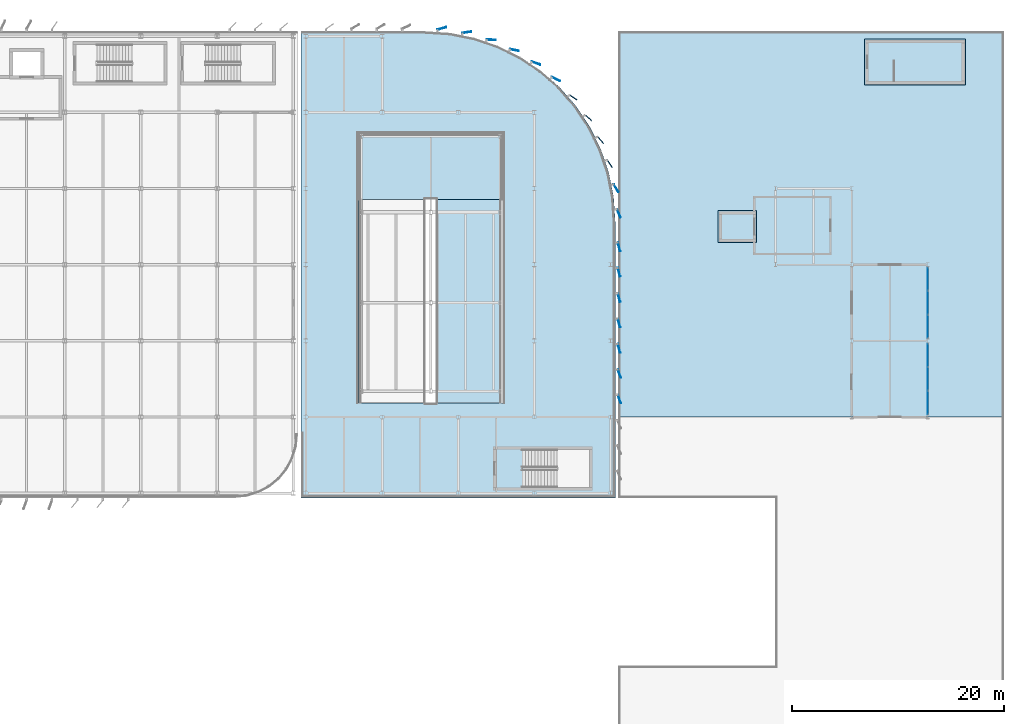
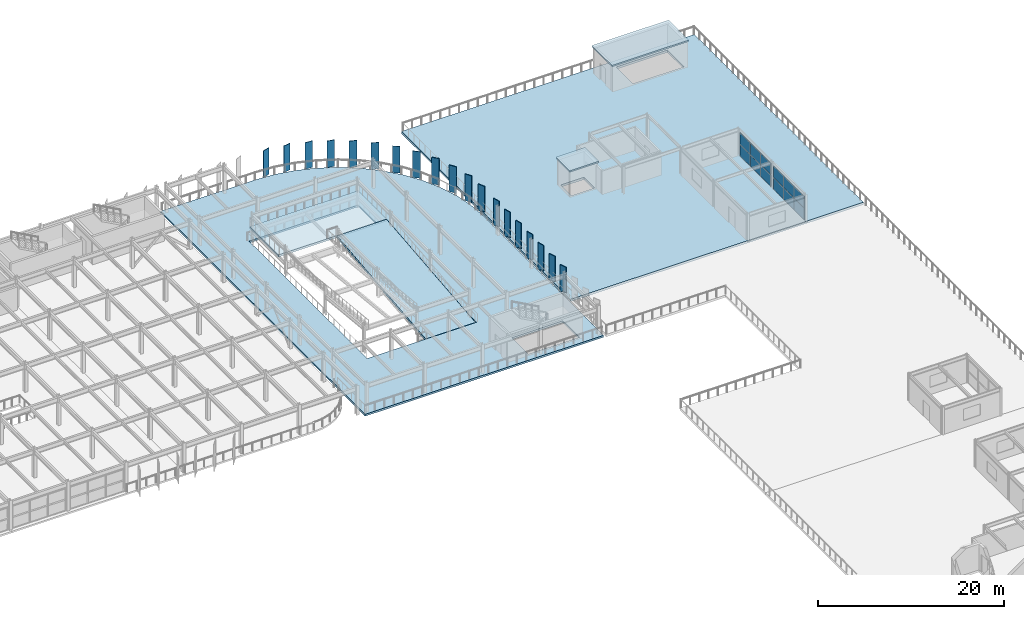
# One storey, part 31 of 52: 31 plates, 6 slabs, 2 elements without a shape of their own.
"""IFC4 building model written with IfcOpenShell, lengths in metres."""

from ifc_helpers import new_model, si_unit, direction, frame, origin, origin_2d, place, context, subcontext, project, spatial, polyline, rectangle, outline, extrude, material, layer, layer_set, type_object, element, aggregate, save


model = new_model("IFC4")

# Units and contexts
model_context = context("Model", 3, precision=1e-05, world=origin(), true_north=direction((0.0, 1.0)))
body_context = subcontext(model_context, "Body", "Model", "MODEL_VIEW")
ifc_project = project(units=[si_unit("LENGTHUNIT", "METRE"), si_unit("AREAUNIT", "SQUARE_METRE"), si_unit("VOLUMEUNIT", "CUBIC_METRE"), si_unit("PLANEANGLEUNIT", "RADIAN"), si_unit("MASSUNIT", "GRAM", prefix="KILO")], contexts=[model_context])

# Site, building, storey
site_placement = place(None, origin())
site = spatial("IfcSite", under=ifc_project, at=site_placement, CompositionType="ELEMENT")
building_placement = place(site_placement, origin())
building = spatial("IfcBuilding", under=site, at=building_placement, Name="Vaelcorin Mobility Hub", CompositionType="ELEMENT")
storey_placement = place(building_placement, frame((0.0, 0.0, 13.199951171875)))
storey = spatial("IfcBuildingStorey", under=building, at=storey_placement, Name="L03", CompositionType="ELEMENT", Elevation=13.199951171875)

# Curtain wall, plates
ifc_material_1 = material(Name="Anodised aluminium 6063-T6", Category="aluminium")
curtain_wall_type = type_object("IfcCurtainWallType", Name="CW-MOB-A", PredefinedType="NOTDEFINED", material=ifc_material_1)
curtain_wall_1_placement = place(storey_placement, origin())
curtain_wall_1 = element("IfcCurtainWall", 1, at=curtain_wall_1_placement, inside=storey, type_object=curtain_wall_type, Name="L03 Curtain Wall CW-L03-GPAVN-E-1", PredefinedType="NOTDEFINED")
ifc_material_2 = material(Name="Low-E solar-control insulated glazing", Category="glass")
ifc_layer_1 = layer(ifc_material_2, 0.028076171875)
ifc_layer_set_1 = layer_set([ifc_layer_1], Name="Low-E solar-control insulated glazing")
plate_type_1 = type_object("IfcPlateType", Name="CW-PAN-GLZ28", PredefinedType="CURTAIN_PANEL", material=ifc_layer_set_1)
plate_1_placement = place(storey_placement, frame((182.39990234375, 89.83837890625, 0.06005859375), z_axis=(0.0, 0.0, 1.0), x_axis=(0.0, -1.0, 0.0)))
plate_1 = element("IfcPlate", 2, at=plate_1_placement, type_object=plate_type_1, Name="CW7 panel 1.1", PredefinedType="CURTAIN_PANEL", context=body_context, shape_type="SweptSolid", body=[
    extrude(rectangle(XDim=2.163330078125, YDim=0.028076171875, at=origin_2d()), origin(), (0.0, 0.0, 1.0), 1.5048828125),
])
plate_2_placement = place(storey_placement, frame((182.39990234375, 89.83837890625, 1.625), z_axis=(0.0, 0.0, 1.0), x_axis=(0.0, -1.0, 0.0)))
plate_2 = element("IfcPlate", 3, at=plate_2_placement, type_object=plate_type_1, Name="CW7 panel 1.2", PredefinedType="CURTAIN_PANEL", context=body_context, shape_type="SweptSolid", body=[
    extrude(rectangle(XDim=2.163330078125, YDim=0.028076171875, at=origin_2d()), origin(), (0.0, 0.0, 1.0), 1.5048828125),
])
plate_3_placement = place(storey_placement, frame((182.39990234375, 87.60009765625, 0.06005859375), z_axis=(0.0, 0.0, 1.0), x_axis=(0.0, -1.0, 0.0)))
plate_3 = element("IfcPlate", 4, at=plate_3_placement, type_object=plate_type_1, Name="CW7 panel 2.1", PredefinedType="CURTAIN_PANEL", context=body_context, shape_type="SweptSolid", body=[
    extrude(rectangle(XDim=2.193359375, YDim=0.028076171875, at=origin_2d()), origin(), (0.0, 0.0, 1.0), 1.5048828125),
])
plate_4_placement = place(storey_placement, frame((182.39990234375, 87.60009765625, 1.625), z_axis=(0.0, 0.0, 1.0), x_axis=(0.0, -1.0, 0.0)))
plate_4 = element("IfcPlate", 5, at=plate_4_placement, type_object=plate_type_1, Name="CW7 panel 2.2", PredefinedType="CURTAIN_PANEL", context=body_context, shape_type="SweptSolid", body=[
    extrude(rectangle(XDim=2.193359375, YDim=0.028076171875, at=origin_2d()), origin(), (0.0, 0.0, 1.0), 1.5048828125),
])
plate_5_placement = place(storey_placement, frame((182.39990234375, 85.361572265625, 0.06005859375), z_axis=(0.0, 0.0, 1.0), x_axis=(0.0, -1.0, 0.0)))
plate_5 = element("IfcPlate", 6, at=plate_5_placement, type_object=plate_type_1, Name="CW7 panel 3.1", PredefinedType="CURTAIN_PANEL", context=body_context, shape_type="SweptSolid", body=[
    extrude(rectangle(XDim=2.163330078125, YDim=0.028076171875, at=origin_2d()), origin(), (0.0, 0.0, 1.0), 1.5048828125),
])
plate_6_placement = place(storey_placement, frame((182.39990234375, 85.361572265625, 1.625), z_axis=(0.0, 0.0, 1.0), x_axis=(0.0, -1.0, 0.0)))
plate_6 = element("IfcPlate", 7, at=plate_6_placement, type_object=plate_type_1, Name="CW7 panel 3.2", PredefinedType="CURTAIN_PANEL", context=body_context, shape_type="SweptSolid", body=[
    extrude(rectangle(XDim=2.163330078125, YDim=0.028076171875, at=origin_2d()), origin(), (0.0, 0.0, 1.0), 1.5048828125),
])
aggregate(curtain_wall_1, [plate_1, plate_2, plate_3, plate_4, plate_5, plate_6])

curtain_wall_2_placement = place(storey_placement, origin())
curtain_wall_2 = element("IfcCurtainWall", 8, at=curtain_wall_2_placement, inside=storey, type_object=curtain_wall_type, Name="L03 Curtain Wall CW-L03-GPAVN-E-2", PredefinedType="NOTDEFINED")
plate_7_placement = place(storey_placement, frame((182.39990234375, 97.038330078125, 0.06005859375), z_axis=(0.0, 0.0, 1.0), x_axis=(0.0, -1.0, 0.0)))
plate_7 = element("IfcPlate", 9, at=plate_7_placement, type_object=plate_type_1, Name="CW7 panel 1.1", PredefinedType="CURTAIN_PANEL", context=body_context, shape_type="SweptSolid", body=[
    extrude(rectangle(XDim=2.163330078125, YDim=0.028076171875, at=origin_2d()), origin(), (0.0, 0.0, 1.0), 1.5048828125),
])
plate_8_placement = place(storey_placement, frame((182.39990234375, 97.038330078125, 1.625), z_axis=(0.0, 0.0, 1.0), x_axis=(0.0, -1.0, 0.0)))
plate_8 = element("IfcPlate", 10, at=plate_8_placement, type_object=plate_type_1, Name="CW7 panel 1.2", PredefinedType="CURTAIN_PANEL", context=body_context, shape_type="SweptSolid", body=[
    extrude(rectangle(XDim=2.163330078125, YDim=0.028076171875, at=origin_2d()), origin(), (0.0, 0.0, 1.0), 1.5048828125),
])
plate_9_placement = place(storey_placement, frame((182.39990234375, 94.800048828125, 0.06005859375), z_axis=(0.0, 0.0, 1.0), x_axis=(0.0, -1.0, 0.0)))
plate_9 = element("IfcPlate", 11, at=plate_9_placement, type_object=plate_type_1, Name="CW7 panel 2.1", PredefinedType="CURTAIN_PANEL", context=body_context, shape_type="SweptSolid", body=[
    extrude(rectangle(XDim=2.193359375, YDim=0.028076171875, at=origin_2d()), origin(), (0.0, 0.0, 1.0), 1.5048828125),
])
plate_10_placement = place(storey_placement, frame((182.39990234375, 94.800048828125, 1.625), z_axis=(0.0, 0.0, 1.0), x_axis=(0.0, -1.0, 0.0)))
plate_10 = element("IfcPlate", 12, at=plate_10_placement, type_object=plate_type_1, Name="CW7 panel 2.2", PredefinedType="CURTAIN_PANEL", context=body_context, shape_type="SweptSolid", body=[
    extrude(rectangle(XDim=2.193359375, YDim=0.028076171875, at=origin_2d()), origin(), (0.0, 0.0, 1.0), 1.5048828125),
])
plate_11_placement = place(storey_placement, frame((182.39990234375, 92.561767578125, 0.06005859375), z_axis=(0.0, 0.0, 1.0), x_axis=(0.0, -1.0, 0.0)))
plate_11 = element("IfcPlate", 13, at=plate_11_placement, type_object=plate_type_1, Name="CW7 panel 3.1", PredefinedType="CURTAIN_PANEL", context=body_context, shape_type="SweptSolid", body=[
    extrude(rectangle(XDim=2.163330078125, YDim=0.028076171875, at=origin_2d()), origin(), (0.0, 0.0, 1.0), 1.5048828125),
])
plate_12_placement = place(storey_placement, frame((182.39990234375, 92.561767578125, 1.625), z_axis=(0.0, 0.0, 1.0), x_axis=(0.0, -1.0, 0.0)))
plate_12 = element("IfcPlate", 14, at=plate_12_placement, type_object=plate_type_1, Name="CW7 panel 3.2", PredefinedType="CURTAIN_PANEL", context=body_context, shape_type="SweptSolid", body=[
    extrude(rectangle(XDim=2.163330078125, YDim=0.028076171875, at=origin_2d()), origin(), (0.0, 0.0, 1.0), 1.5048828125),
])
aggregate(curtain_wall_2, [plate_7, plate_8, plate_9, plate_10, plate_11, plate_12])

# Plates
ifc_material_3 = material(Name="Perforated terracotta-bronze aluminium aerofoil", Category="masonry")
ifc_layer_2 = layer(ifc_material_3, 0.070068359375)
ifc_layer_set_2 = layer_set([ifc_layer_2], Name="Perforated terracotta-bronze aluminium aerofoil")
plate_type_2 = type_object("IfcPlateType", Name="PL-FIN-AF3", PredefinedType="SHEET", material=ifc_layer_set_2)
for number, where, z_axis, x_axis, name in (
    (15, (153.18408203125, 103.2509765625, -0.159912109375), (0.0, 0.0, 1.0), (0.402762664996, -0.915304449724, 0.0), "Rotating Terracotta-Bronze Aerofoil Fin FIN-V2E-L03-ARC-01"),
    (16, (152.922119140625, 105.636962890625, -0.159912109375), (0.0, 0.0, 1.0), (0.51859419446, -0.855020503539, 0.0), "Rotating Terracotta-Bronze Aerofoil Fin FIN-V2E-L03-ARC-02"),
    (17, (152.322021484375, 107.947021484375, -0.159912109375), (0.0, 0.0, 1.0), (0.555686322663, -0.831392031959, 0.0), "Rotating Terracotta-Bronze Aerofoil Fin FIN-V2E-L03-ARC-03"),
    (18, (151.455078125, 110.180908203125, -0.159912109375), (0.0, 0.0, 1.0), (0.659477025858, -0.751724718475, 0.0), "Rotating Terracotta-Bronze Aerofoil Fin FIN-V2E-L03-ARC-04"),
    (19, (150.302978515625, 112.281982421875, -0.159912109375), (0.0, 0.0, 1.0), (0.751770756824, -0.659424543965, 0.0), "Rotating Terracotta-Bronze Aerofoil Fin FIN-V2E-L03-ARC-05"),
    (20, (148.887939453125, 114.215087890625, -0.159912109375), (0.0, 0.0, 1.0), (0.831421126488, -0.555642790316, 0.0), "Rotating Terracotta-Bronze Aerofoil Fin FIN-V2E-L03-ARC-06"),
    (21, (147.23193359375, 115.947021484375, -0.159912109375), (0.0, 0.0, 1.0), (0.896911335087, -0.442210421623, 0.0), "Rotating Terracotta-Bronze Aerofoil Fin FIN-V2E-L03-ARC-07"),
    (22, (145.364990234375, 117.447021484375, -0.159912109375), (0.0, 0.0, 1.0), (0.946963785365, -0.32134030125, 0.0), "Rotating Terracotta-Bronze Aerofoil Fin FIN-V2E-L03-ARC-08"),
    (23, (143.31689453125, 118.69091796875, -0.159912109375), (0.0, 0.0, 1.0), (0.980751215781, -0.195261498368, 0.0), "Rotating Terracotta-Bronze Aerofoil Fin FIN-V2E-L03-ARC-09"),
    (24, (141.125, 119.657958984375, -0.159912109375), (0.0, 0.0, 1.0), (0.997849781512, -0.065542455982, 0.0), "Rotating Terracotta-Bronze Aerofoil Fin FIN-V2E-L03-ARC-10"),
    (25, (138.821044921875, 120.366943359375, -0.159912109375), (0.0, 0.0, 1.0), (0.988329628143, 0.152330384803, 0.0), "Rotating Terracotta-Bronze Aerofoil Fin FIN-V2E-L03-ARC-11"),
    (26, (136.447998046875, 120.73095703125, -0.159912109375), (0.0, 0.0, 1.0), (0.960054738177, 0.279812257957, 0.0), "Rotating Terracotta-Bronze Aerofoil Fin FIN-V2E-L03-ARC-12"),
    (27, (153.199951171875, 100.089111328125, -0.159912109375), (0.0, 0.0, 1.0), (0.258819045103, -0.965925826289, 0.0), "Rotating Terracotta-Bronze Aerofoil Fin FIN-V2E-L03-E-AF-01"),
    (28, (153.199951171875, 97.68896484375, -0.159912109375), (0.0, 0.0, 1.0), (0.258819045103, -0.965925826289, 0.0), "Rotating Terracotta-Bronze Aerofoil Fin FIN-V2E-L03-E-AF-02"),
    (29, (153.199951171875, 95.2890625, -0.159912109375), (0.0, 0.0, 1.0), (0.258819045103, -0.965925826289, 0.0), "Rotating Terracotta-Bronze Aerofoil Fin FIN-V2E-L03-E-AF-03"),
    (30, (153.199951171875, 92.888916015625, -0.159912109375), (0.0, 0.0, 1.0), (0.258819045103, -0.965925826289, 0.0), "Rotating Terracotta-Bronze Aerofoil Fin FIN-V2E-L03-E-AF-04"),
    (31, (153.199951171875, 90.489013671875, -0.159912109375), (0.0, 0.0, 1.0), (0.258819045103, -0.965925826289, 0.0), "Rotating Terracotta-Bronze Aerofoil Fin FIN-V2E-L03-E-AF-05"),
    (32, (153.235107421875, 88.10107421875, -0.159912109375), (0.0, 0.0, 1.0), (0.342020143326, -0.939692620786, 0.0), "Rotating Terracotta-Bronze Aerofoil Fin FIN-V2E-L03-E-AF-06"),
    (33, (153.235107421875, 85.700927734375, -0.159912109375), (0.0, 0.0, 1.0), (0.342020143326, -0.939692620786, 0.0), "Rotating Terracotta-Bronze Aerofoil Fin FIN-V2E-L03-E-AF-07"),
):
    element("IfcPlate", number, at=place(storey_placement, frame(where, z_axis=z_axis, x_axis=x_axis)), inside=storey, type_object=plate_type_2, Name=name, PredefinedType="SHEET", context=body_context, shape_type="SweptSolid", body=[
        extrude(rectangle(XDim=0.85009765625, YDim=0.070068359375, at=origin_2d()), origin(), (0.0, 0.0, 1.0), 3.5),
    ])

# Slabs
ifc_material_4 = material(Name="Concrete f'c 35 MPa", Category="concrete")
ifc_layer_3 = layer(ifc_material_4, 0.199951171875)
ifc_layer_set_3 = layer_set([ifc_layer_3], Name="Concrete f'c 35 MPa")
slab_type_1 = type_object("IfcSlabType", Name="SLAB-RF-V4P", PredefinedType="ROOF", material=ifc_layer_set_3)
slab_1_placement = place(storey_placement, frame((0.0, 0.0, 3.400146484375)))
element("IfcSlab", 34, at=slab_1_placement, inside=storey, type_object=slab_type_1, Name="ST6 Stair Headhouse Roof", PredefinedType="ROOF", context=body_context, shape_type="SweptSolid", body=[
    extrude(outline(polyline([(176.419921875, 115.3701171875), (185.97998046875, 115.3701171875), (185.97998046875, 119.72998046875), (176.419921875, 119.72998046875), (176.419921875, 115.3701171875)])), origin(), (0.0, 0.0, 1.0), 0.199951171875),
])
slab_2_placement = place(storey_placement, frame((0.0, 0.0, 3.400146484375)))
element("IfcSlab", 35, at=slab_2_placement, inside=storey, type_object=slab_type_1, Name="LF6 Lift Shaft Overrun Roof", PredefinedType="ROOF", context=body_context, shape_type="SweptSolid", body=[
    extrude(outline(polyline([(162.580078125, 100.47998046875), (166.219970703125, 100.47998046875), (166.219970703125, 103.52001953125), (162.580078125, 103.52001953125), (162.580078125, 100.47998046875)])), origin(), (0.0, 0.0, 1.0), 0.199951171875),
])
ifc_layer_4 = layer(ifc_material_4, 0.300048828125)
ifc_layer_set_4 = layer_set([ifc_layer_4], Name="Concrete f'c 35 MPa")
slab_type_2 = type_object("IfcSlabType", Name="SLAB-RG3", PredefinedType="FLOOR", material=ifc_layer_set_4)
slab_3_placement = place(storey_placement, frame((0.0, 0.0, -0.300048828125)))
element("IfcSlab", 36, at=slab_3_placement, inside=storey, type_object=slab_type_2, Name="L03 Planted Tropical Roof Garden SL-V5-L03-RG-N", PredefinedType="FLOOR", context=body_context, shape_type="SweptSolid", body=[
    extrude(outline(polyline([(153.14990234375, 84.0), (153.14990234375, 120.449951171875), (189.60009765625, 120.449951171875), (189.60009765625, 84.0), (153.14990234375, 84.0)]), holes=[polyline([(162.949951171875, 103.14990234375), (162.949951171875, 100.85009765625), (165.85009765625, 100.85009765625), (165.85009765625, 103.14990234375), (162.949951171875, 103.14990234375)]), polyline([(185.60009765625, 119.35009765625), (179.2548828125, 119.35009765625), (179.2548828125, 115.75), (185.60009765625, 115.75), (185.60009765625, 119.35009765625)])]), origin(), (0.0, 0.0, 1.0), 0.300048828125),
])
ifc_layer_5 = layer(ifc_material_4, 0.25)
ifc_layer_set_5 = layer_set([ifc_layer_5], Name="Concrete f'c 35 MPa")
slab_type_3 = type_object("IfcSlabType", Name="SLAB-RMP", PredefinedType="FLOOR", material=ifc_layer_set_5)
slab_4_placement = place(storey_placement, frame((0.0, 0.0, -0.25)))
element("IfcSlab", 37, at=slab_4_placement, inside=storey, type_object=slab_type_3, Name="L03 V2E Ramp Transition Deck SL-V2E-L03", PredefinedType="FLOOR", context=body_context, shape_type="SweptSolid", body=[
    extrude(outline(polyline([(123.14990234375, 120.449951171875), (134.85009765625, 120.449951171875), (137.198974609375, 120.2958984375), (139.509033203125, 119.8369140625), (141.738037109375, 119.080078125), (143.85009765625, 118.0380859375), (145.80810546875, 116.72998046875), (147.577880859375, 115.177978515625), (149.1298828125, 113.407958984375), (150.43798828125, 111.449951171875), (151.47998046875, 109.337890625), (152.237060546875, 107.10888671875), (152.696044921875, 104.799072265625), (152.85009765625, 102.449951171875), (152.85009765625, 76.35009765625), (123.14990234375, 76.35009765625), (123.14990234375, 120.449951171875)]), holes=[polyline([(150.39990234375, 80.909912109375), (144.054931640625, 80.909912109375), (144.054931640625, 77.35009765625), (150.39990234375, 77.35009765625), (150.39990234375, 80.909912109375)]), polyline([(142.199951171875, 110.800048828125), (128.60009765625, 110.800048828125), (128.60009765625, 85.340087890625), (142.199951171875, 85.340087890625), (142.199951171875, 110.800048828125)])]), origin(), (0.0, 0.0, 1.0), 0.25),
])
slab_5_placement = place(storey_placement, frame((0.0, 0.0, 1.670166015625)))
element("IfcSlab", 38, at=slab_5_placement, inside=storey, type_object=slab_type_3, Name="Vehicle Ramp VR-2 L03 Half-Turn Landing", PredefinedType="LANDING", context=body_context, shape_type="SweptSolid", body=[
    extrude(outline(polyline([(128.64990234375, 104.56005859375), (142.14990234375, 104.56005859375), (142.14990234375, 110.75), (128.64990234375, 110.75), (128.64990234375, 104.56005859375)])), origin(), (0.0, 0.0, 1.0), 0.27978515625),
])
ifc_layer_6 = layer(ifc_material_4, 0.280029296875)
ifc_layer_set_6 = layer_set([ifc_layer_6], Name="Concrete f'c 35 MPa")
slab_type_4 = type_object("IfcSlabType", Name="SLAB-RMP-VR2", PredefinedType="FLOOR", material=ifc_layer_set_6)
slab_6_placement = place(storey_placement, frame((135.89990234375, 85.360107421875, 0.0), z_axis=(0.0, -0.101144847313, 0.994871710253), x_axis=(1.0, 0.0, 0.0)))
element("IfcSlab", 39, at=slab_6_placement, inside=storey, type_object=slab_type_4, Name="Vehicle Ramp VR-2 Slab L03 Flight 1", PredefinedType="FLOOR", context=body_context, shape_type="SweptSolid", body=[
    extrude(outline(polyline([(0.0, 0.0), (6.2001953125, 0.0), (6.2001953125, 19.278798907394222), (0.0, 19.278798907394222), (0.0, 0.0)])), origin(), (0.0, 0.0, -1.0), 0.280029296875),
])

save(model, "model.ifc")
